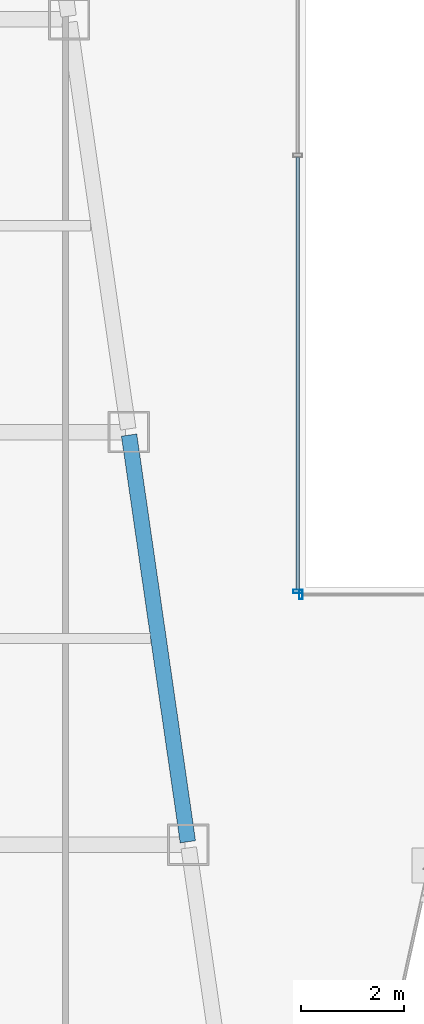
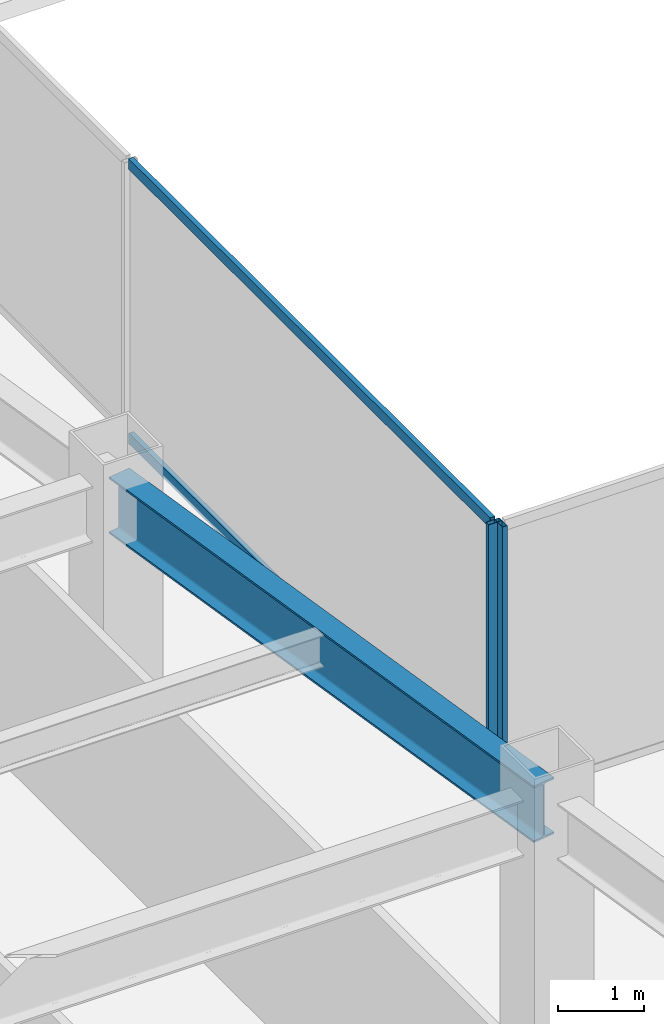
# One storey, part 12 of 47: 4 members, 1 beam, 2 elements without a shape of their own.
"""IFC4 building model written with IfcOpenShell, lengths in metres."""

from ifc_helpers import new_model, si_unit, direction, frame, origin, origin_2d, place, context, subcontext, project, spatial, hollow_rectangle, i_section, extrude, material, material_profile, profile_set, type_object, element, aggregate, save


model = new_model("IFC4")

# Units and contexts
model_context = context("Model", 3, precision=1e-05, world=origin(), true_north=direction((0.0, 1.0)))
body_context = subcontext(model_context, "Body", "Model", "MODEL_VIEW")
ifc_project = project(units=[si_unit("LENGTHUNIT", "METRE"), si_unit("AREAUNIT", "SQUARE_METRE"), si_unit("VOLUMEUNIT", "CUBIC_METRE"), si_unit("PLANEANGLEUNIT", "RADIAN"), si_unit("MASSUNIT", "GRAM", prefix="KILO")], contexts=[model_context])

# Site, building, storey
site_placement = place(None, origin())
site = spatial("IfcSite", under=ifc_project, at=site_placement, CompositionType="ELEMENT")
building_placement = place(site_placement, origin())
building = spatial("IfcBuilding", under=site, at=building_placement, Name="Saevonmaru Cultural Tower", CompositionType="ELEMENT")
storey_placement = place(building_placement, frame((0.0, 0.0, 82.39990234375)))
storey = spatial("IfcBuildingStorey", under=building, at=storey_placement, Name="L17", CompositionType="ELEMENT", Elevation=82.39990234375)

# Beam
ifc_material_1 = material(Name="Steel SM420", Category="steel")
ifc_material_profile_1 = material_profile(ifc_material_1, i_section(OverallWidth=0.300048828125, OverallDepth=0.800048828125, WebThickness=0.013916015625, FlangeThickness=0.02587890625, FilletRadius=0.028076171875, at=origin_2d()), Name="H-800x300x14x26")
ifc_profile_set_1 = profile_set([ifc_material_profile_1], Name="Steel SM420")
beam_type = type_object("IfcBeamType", Name="BM-G-H800", PredefinedType="BEAM", material=ifc_profile_set_1)
beam_placement = place(storey_placement, frame((21.91943359375, 16.059326171875, 3.550048828125), z_axis=(-0.143022161059, 0.989719486241, 0.0), x_axis=(-0.989719486241, -0.143022161059, 0.0)))
element("IfcBeam", 1, at=beam_placement, inside=storey, type_object=beam_type, Name="L17 West Atrium Girder 3", PredefinedType="BEAM", context=body_context, shape_type="SweptSolid", body=[
    extrude(i_section(OverallWidth=0.300048828125, OverallDepth=0.800048828125, WebThickness=0.013916015625, FlangeThickness=0.02587890625, FilletRadius=0.028076171875, at=origin_2d()), origin(), (0.0, 0.0, 1.0), 7.963134765625),
])

# Curtain wall, member
ifc_material_2 = material(Name="Satin Bronze Anodised Aluminium", Category="aluminium")
curtain_wall_type = type_object("IfcCurtainWallType", Name="CW-ATR-GLZ", PredefinedType="NOTDEFINED", material=ifc_material_2)
curtain_wall_1_placement = place(storey_placement, origin())
curtain_wall_1 = element("IfcCurtainWall", 2, at=curtain_wall_1_placement, inside=storey, type_object=curtain_wall_type, Name="L17 Vertical Atrium Glazed Smoke Screen 1", PredefinedType="NOTDEFINED")
ifc_material_profile_2 = material_profile(ifc_material_2, hollow_rectangle(XDim=0.06494140625, YDim=0.179931640625, WallThickness=0.00390625, at=origin_2d()), Name="ALU-MULL-180x65x4")
ifc_profile_set_2 = profile_set([ifc_material_profile_2], Name="Satin Bronze Anodised Aluminium")
member_type_1 = type_object("IfcMemberType", Name="ML-CW-INT-180x65", PredefinedType="MULLION", material=ifc_profile_set_2)
member_1_placement = place(storey_placement, frame((24.110107421875, 20.85009765625, 0.0), z_axis=(0.0, 0.0, 1.0), x_axis=(1.0, 0.0, 0.0)))
member_1 = element("IfcMember", 3, at=member_1_placement, type_object=member_type_1, Name="CW-ATR-L17-1 mullion 1", PredefinedType="MULLION", context=body_context, shape_type="SweptSolid", body=[
    extrude(hollow_rectangle(XDim=0.06494140625, YDim=0.179931640625, WallThickness=0.00390625, at=origin_2d()), origin(), (0.0, 0.0, 1.0), 3.9501953125),
])
aggregate(curtain_wall_1, [member_1])

# Curtain wall, members
curtain_wall_2_placement = place(storey_placement, origin())
curtain_wall_2 = element("IfcCurtainWall", 4, at=curtain_wall_2_placement, inside=storey, type_object=curtain_wall_type, Name="L17 Vertical Atrium Glazed Smoke Screen 4", PredefinedType="NOTDEFINED")
member_2_placement = place(storey_placement, frame((24.050048828125, 20.909912109375, 0.0), z_axis=(0.0, 0.0, 1.0), x_axis=(0.0, -1.0, 0.0)))
member_2 = element("IfcMember", 5, at=member_2_placement, type_object=member_type_1, Name="CW-ATR-L17-4 mullion 3", PredefinedType="MULLION", context=body_context, shape_type="SweptSolid", body=[
    extrude(hollow_rectangle(XDim=0.06494140625, YDim=0.179931640625, WallThickness=0.00390625, at=origin_2d()), origin(), (0.0, 0.0, 1.0), 3.9501953125),
])
ifc_material_profile_3 = material_profile(ifc_material_2, hollow_rectangle(XDim=0.06494140625, YDim=0.14990234375, WallThickness=0.00390625, at=origin_2d()), Name="ALU-TRAN-150x65x4")
ifc_profile_set_3 = profile_set([ifc_material_profile_3], Name="Satin Bronze Anodised Aluminium")
member_type_2 = type_object("IfcMemberType", Name="TR-CW-INT-150x65", PredefinedType="USERDEFINED", material=ifc_profile_set_3)
member_3_placement = place(storey_placement, frame((24.050048828125, 29.327392578125, 0.03271484375), z_axis=(0.0, -1.0, 0.0), x_axis=(1.0, 0.0, 0.0)))
member_3 = element("IfcMember", 6, at=member_3_placement, type_object=member_type_2, Name="CW-ATR-L17-4 transom 2.1", ObjectType="TRANSOM", PredefinedType="USERDEFINED", context=body_context, shape_type="SweptSolid", body=[
    extrude(hollow_rectangle(XDim=0.06494140625, YDim=0.14990234375, WallThickness=0.00390625, at=origin_2d()), origin(), (0.0, 0.0, 1.0), 8.385009765625),
])
member_4_placement = place(storey_placement, frame((24.050048828125, 29.327392578125, 3.91748046875), z_axis=(0.0, -1.0, 0.0), x_axis=(1.0, 0.0, 0.0)))
member_4 = element("IfcMember", 7, at=member_4_placement, type_object=member_type_2, Name="CW-ATR-L17-4 transom 2.2", ObjectType="TRANSOM", PredefinedType="USERDEFINED", context=body_context, shape_type="SweptSolid", body=[
    extrude(hollow_rectangle(XDim=0.06494140625, YDim=0.14990234375, WallThickness=0.00390625, at=origin_2d()), origin(), (0.0, 0.0, 1.0), 8.385009765625),
])
aggregate(curtain_wall_2, [member_2, member_3, member_4])

save(model, "model.ifc")
